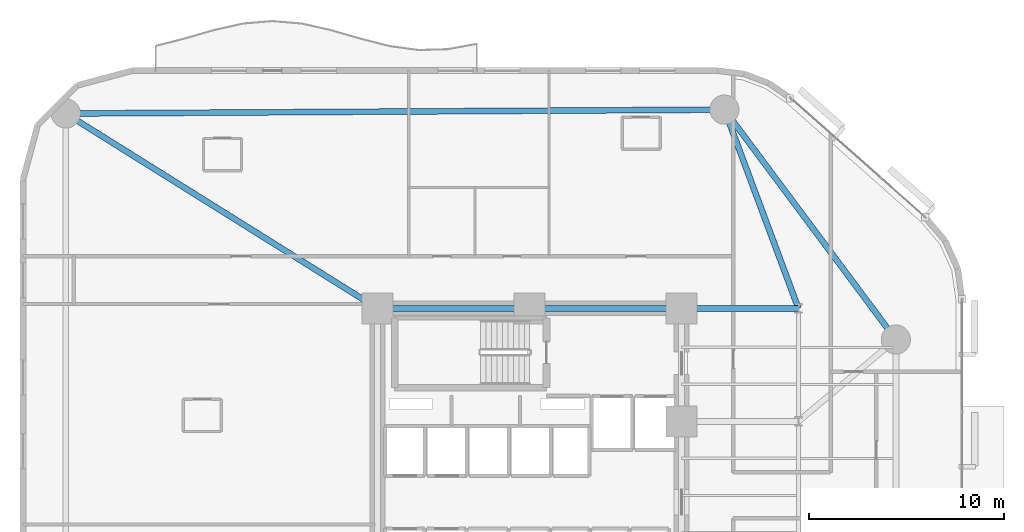
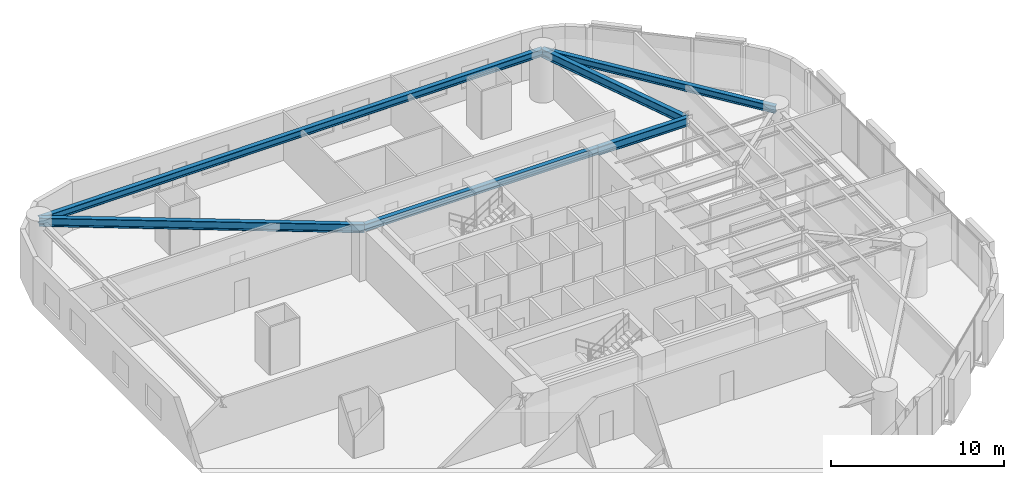
# One storey, part 7 of 16: 6 beams.
"""IFC4 building model written with IfcOpenShell, lengths in metres."""

from ifc_helpers import new_model, si_unit, direction, frame, origin, origin_2d, place, context, subcontext, project, spatial, i_section, extrude, material, material_profile, profile_set, type_object, element, save


model = new_model("IFC4")

# Units and contexts
model_context = context("Model", 3, precision=1e-05, world=origin(), true_north=direction((0.0, 1.0)))
body_context = subcontext(model_context, "Body", "Model", "MODEL_VIEW")
ifc_project = project(units=[si_unit("LENGTHUNIT", "METRE"), si_unit("AREAUNIT", "SQUARE_METRE"), si_unit("VOLUMEUNIT", "CUBIC_METRE"), si_unit("PLANEANGLEUNIT", "RADIAN"), si_unit("MASSUNIT", "GRAM", prefix="KILO")], contexts=[model_context])

# Site, building, storey
site_placement = place(None, origin())
site = spatial("IfcSite", under=ifc_project, at=site_placement, CompositionType="ELEMENT")
building_placement = place(site_placement, origin())
building = spatial("IfcBuilding", under=site, at=building_placement, Name="An Khanh Terracotta Commons", CompositionType="ELEMENT")
storey_placement = place(building_placement, frame((0.0, 0.0, 50.39990234375)))
storey = spatial("IfcBuildingStorey", under=building, at=storey_placement, Name="L13", CompositionType="ELEMENT", Elevation=50.39990234375)

# Beams
ifc_material = material(Name="Steel S355J2", Category="steel")
ifc_material_profile_1 = material_profile(ifc_material, i_section(OverallWidth=0.300048828125, OverallDepth=0.5, WebThickness=0.014404296875, FlangeThickness=0.028076171875, FilletRadius=0.027099609375, at=origin_2d()), Name="HEB500")
ifc_profile_set_1 = profile_set([ifc_material_profile_1], Name="Steel S355J2")
beam_type_1 = type_object("IfcBeamType", Name="BM-HEB500", PredefinedType="BEAM", material=ifc_profile_set_1)
beam_1_placement = place(storey_placement, frame((21.60009765625, 33.60009765625, 3.150146484375), z_axis=(1.0, 0.0, 0.0), x_axis=(0.0, 1.0, 0.0)))
element("IfcBeam", 1, at=beam_1_placement, inside=storey, type_object=beam_type_1, Name="L13 Core North Coupling Girder", PredefinedType="BEAM", context=body_context, shape_type="SweptSolid", body=[
    extrude(i_section(OverallWidth=0.300048828125, OverallDepth=0.5, WebThickness=0.014404296875, FlangeThickness=0.028076171875, FilletRadius=0.027099609375, at=origin_2d()), origin(), (0.0, 0.0, 1.0), 15.599853515625),
])
beam_2_placement = place(storey_placement, frame((48.199951171875, 32.0, 3.150146484375), z_axis=(-0.59782442166, 0.801627070942, 0.0), x_axis=(-0.801627070942, -0.59782442166, 0.0)))
element("IfcBeam", 2, at=beam_2_placement, inside=storey, type_object=beam_type_1, Name="L13 Perimeter Ring Spandrel 4", PredefinedType="BEAM", context=body_context, shape_type="SweptSolid", body=[
    extrude(i_section(OverallWidth=0.300048828125, OverallDepth=0.5, WebThickness=0.014404296875, FlangeThickness=0.028076171875, FilletRadius=0.027099609375, at=origin_2d()), origin(), (0.0, 0.0, 1.0), 14.72021484375),
])
beam_3_placement = place(storey_placement, frame((39.39990234375, 43.800048828125, 3.150146484375), z_axis=(-0.999982502414, -0.005915645817, 0.0), x_axis=(0.005915645817, -0.999982502414, 0.0)))
element("IfcBeam", 3, at=beam_3_placement, inside=storey, type_object=beam_type_1, Name="L13 Perimeter Ring Spandrel 5", PredefinedType="BEAM", context=body_context, shape_type="SweptSolid", body=[
    extrude(i_section(OverallWidth=0.300048828125, OverallDepth=0.5, WebThickness=0.014404296875, FlangeThickness=0.028076171875, FilletRadius=0.027099609375, at=origin_2d()), origin(), (0.0, 0.0, 1.0), 33.80029296875),
])
ifc_material_profile_2 = material_profile(ifc_material, i_section(OverallWidth=0.300048828125, OverallDepth=0.60009765625, WebThickness=0.015380859375, FlangeThickness=0.030029296875, FilletRadius=0.027099609375, at=origin_2d()), Name="HEB600")
ifc_profile_set_2 = profile_set([ifc_material_profile_2], Name="Steel S355J2")
beam_type_2 = type_object("IfcBeamType", Name="BM-HEB600", PredefinedType="BEAM", material=ifc_profile_set_2)
beam_4_placement = place(storey_placement, frame((37.199951171875, 33.60009765625, 3.10009765625), z_axis=(1.0, 0.0, 0.0), x_axis=(0.0, 1.0, 0.0)))
element("IfcBeam", 4, at=beam_4_placement, inside=storey, type_object=beam_type_2, Name="L13 East Primary Floor Girder 4", PredefinedType="BEAM", context=body_context, shape_type="SweptSolid", body=[
    extrude(i_section(OverallWidth=0.300048828125, OverallDepth=0.60009765625, WebThickness=0.015380859375, FlangeThickness=0.030029296875, FilletRadius=0.027099609375, at=origin_2d()), origin(), (0.0, 0.0, 1.0), 6.0),
])
beam_5_placement = place(storey_placement, frame((39.39990234375, 43.800048828125, 3.10009765625), z_axis=(0.349114429862, -0.937080100558, 0.0), x_axis=(0.937080100558, 0.349114429862, 0.0)))
element("IfcBeam", 5, at=beam_5_placement, inside=storey, type_object=beam_type_2, Name="L13 Mega-Column Tie Girder 5", PredefinedType="BEAM", context=body_context, shape_type="SweptSolid", body=[
    extrude(i_section(OverallWidth=0.300048828125, OverallDepth=0.60009765625, WebThickness=0.015380859375, FlangeThickness=0.030029296875, FilletRadius=0.027099609375, at=origin_2d()), origin(), (0.0, 0.0, 1.0), 10.884765625),
])
beam_6_placement = place(storey_placement, frame((5.60009765625, 43.60009765625, 3.10009765625), z_axis=(0.847998304005, -0.529998940003, 0.0), x_axis=(0.529998940003, 0.847998304005, 0.0)))
element("IfcBeam", 6, at=beam_6_placement, inside=storey, type_object=beam_type_2, Name="L13 Mega-Column Tie Girder 6", PredefinedType="BEAM", context=body_context, shape_type="SweptSolid", body=[
    extrude(i_section(OverallWidth=0.300048828125, OverallDepth=0.60009765625, WebThickness=0.015380859375, FlangeThickness=0.030029296875, FilletRadius=0.027099609375, at=origin_2d()), origin(), (0.0, 0.0, 1.0), 18.867919921875),
])

save(model, "model.ifc")
